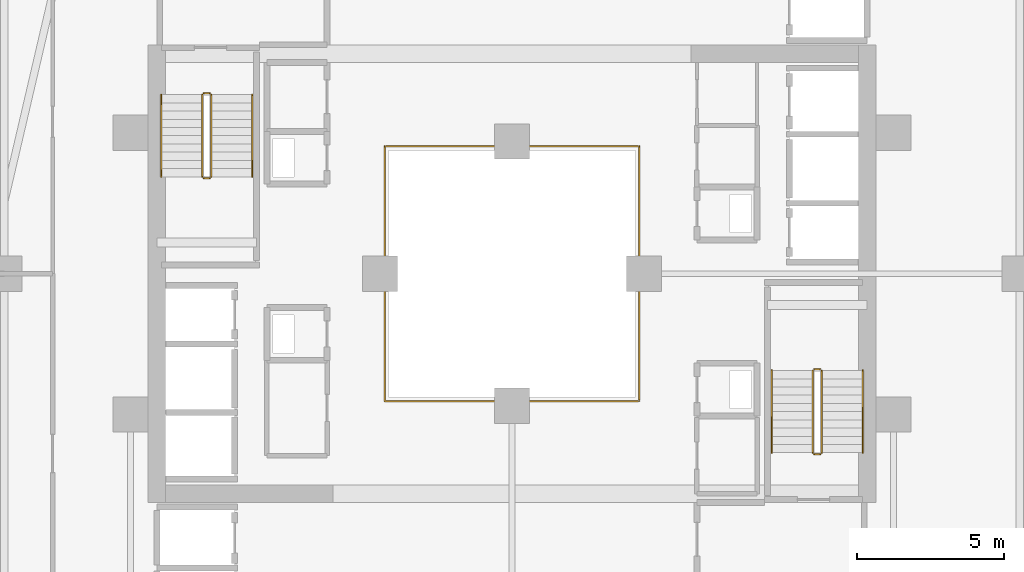
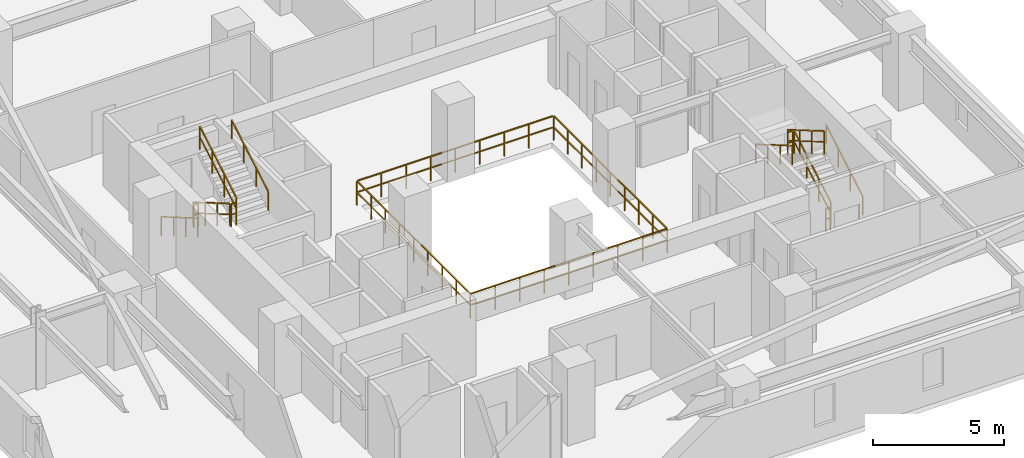
# One storey, part 29 of 30: 13 railings.
"""IFC4 building model written with IfcOpenShell, lengths in metres."""

from ifc_helpers import new_model, si_unit, direction, frame, origin, origin_2d, place, context, subcontext, project, spatial, rectangle, extrude, material, type_object, element, save


model = new_model("IFC4")

# Units and contexts
model_context = context("Model", 3, precision=1e-05, world=origin(), true_north=direction((0.0, 1.0)))
body_context = subcontext(model_context, "Body", "Model", "MODEL_VIEW")
ifc_project = project(units=[si_unit("LENGTHUNIT", "METRE"), si_unit("AREAUNIT", "SQUARE_METRE"), si_unit("VOLUMEUNIT", "CUBIC_METRE"), si_unit("PLANEANGLEUNIT", "RADIAN"), si_unit("MASSUNIT", "GRAM", prefix="KILO")], contexts=[model_context])

# Site, building, storey
site_placement = place(None, origin())
site = spatial("IfcSite", under=ifc_project, at=site_placement, CompositionType="ELEMENT")
building_placement = place(site_placement, origin())
building = spatial("IfcBuilding", under=site, at=building_placement, Name="Thornwick Lancets Civic Towers", CompositionType="ELEMENT")
storey_placement = place(building_placement, frame((0.0, 0.0, 80.10009765625)))
storey = spatial("IfcBuildingStorey", under=building, at=storey_placement, Name="L20", CompositionType="ELEMENT", Elevation=80.10009765625)

# Railings
ifc_material_1 = material(Name="Laminated glass and bronze steel S355", Category="steel")
railing_type_1 = type_object("IfcRailingType", Name="RAIL_ATRIUM_GUARD", PredefinedType="BALUSTRADE", material=ifc_material_1)
railing_1_placement = place(storey_placement, frame((84.159912109375, 22.659912109375, 0.0)))
element("IfcRailing", 1, at=railing_1_placement, inside=storey, type_object=railing_type_1, Name="L20 Tower B Central Atrium Guard Balustrade", PredefinedType="BALUSTRADE", context=body_context, shape_type="SweptSolid", body=[
    extrude(rectangle(XDim=0.048095703125, YDim=0.048095703125, at=origin_2d()), frame((0.0, 0.0, 1.1259765625), z_axis=(1.0, 0.0, 0.0), x_axis=(0.0, 1.0, 0.0)), (0.0, 0.0, 1.0), 8.64892578125),
    extrude(rectangle(XDim=0.0419921875, YDim=0.0419921875, at=origin_2d()), frame((0.03759765625, 0.0, 0.597900390625), z_axis=(1.0, 0.0, 0.0), x_axis=(0.0, 1.0, 0.0)), (0.0, 0.0, 1.0), 1.010009765625),
    extrude(rectangle(XDim=0.0419921875, YDim=0.0419921875, at=origin_2d()), frame((1.12255859375, 0.0, 0.597900390625), z_axis=(1.0, 0.0, 0.0), x_axis=(0.0, 1.0, 0.0)), (0.0, 0.0, 1.0), 1.010009765625),
    extrude(rectangle(XDim=0.0419921875, YDim=0.0419921875, at=origin_2d()), frame((2.20751953125, 0.0, 0.597900390625), z_axis=(1.0, 0.0, 0.0), x_axis=(0.0, 1.0, 0.0)), (0.0, 0.0, 1.0), 1.010009765625),
    extrude(rectangle(XDim=0.0419921875, YDim=0.0419921875, at=origin_2d()), frame((3.29248046875, 0.0, 0.597900390625), z_axis=(1.0, 0.0, 0.0), x_axis=(0.0, 1.0, 0.0)), (0.0, 0.0, 1.0), 1.010009765625),
    extrude(rectangle(XDim=0.0419921875, YDim=0.0419921875, at=origin_2d()), frame((4.377685546875, 0.0, 0.597900390625), z_axis=(1.0, 0.0, 0.0), x_axis=(0.0, 1.0, 0.0)), (0.0, 0.0, 1.0), 1.010009765625),
    extrude(rectangle(XDim=0.0419921875, YDim=0.0419921875, at=origin_2d()), frame((5.462646484375, 0.0, 0.597900390625), z_axis=(1.0, 0.0, 0.0), x_axis=(0.0, 1.0, 0.0)), (0.0, 0.0, 1.0), 1.010009765625),
    extrude(rectangle(XDim=0.0419921875, YDim=0.0419921875, at=origin_2d()), frame((6.547607421875, 0.0, 0.597900390625), z_axis=(1.0, 0.0, 0.0), x_axis=(0.0, 1.0, 0.0)), (0.0, 0.0, 1.0), 1.010009765625),
    extrude(rectangle(XDim=0.0419921875, YDim=0.0419921875, at=origin_2d()), frame((7.632568359375, 0.0, 0.597900390625), z_axis=(1.0, 0.0, 0.0), x_axis=(0.0, 1.0, 0.0)), (0.0, 0.0, 1.0), 1.010009765625),
    extrude(rectangle(XDim=0.048095703125, YDim=0.048095703125, at=origin_2d()), frame((8.68017578125, 0.03125, 1.1259765625), z_axis=(0.0, 1.0, 0.0), x_axis=(-1.0, 0.0, 0.0)), (0.0, 0.0, 1.0), 8.61767578125),
    extrude(rectangle(XDim=0.0419921875, YDim=0.0419921875, at=origin_2d()), frame((8.68017578125, 0.03759765625, 0.597900390625), z_axis=(0.0, 1.0, 0.0), x_axis=(-1.0, 0.0, 0.0)), (0.0, 0.0, 1.0), 1.010009765625),
    extrude(rectangle(XDim=0.0419921875, YDim=0.0419921875, at=origin_2d()), frame((8.68017578125, 1.12255859375, 0.597900390625), z_axis=(0.0, 1.0, 0.0), x_axis=(-1.0, 0.0, 0.0)), (0.0, 0.0, 1.0), 1.010009765625),
    extrude(rectangle(XDim=0.0419921875, YDim=0.0419921875, at=origin_2d()), frame((8.68017578125, 2.20751953125, 0.597900390625), z_axis=(0.0, 1.0, 0.0), x_axis=(-1.0, 0.0, 0.0)), (0.0, 0.0, 1.0), 1.010009765625),
    extrude(rectangle(XDim=0.0419921875, YDim=0.0419921875, at=origin_2d()), frame((8.68017578125, 3.29248046875, 0.597900390625), z_axis=(0.0, 1.0, 0.0), x_axis=(-1.0, 0.0, 0.0)), (0.0, 0.0, 1.0), 1.010009765625),
    extrude(rectangle(XDim=0.0419921875, YDim=0.0419921875, at=origin_2d()), frame((8.68017578125, 4.377685546875, 0.597900390625), z_axis=(0.0, 1.0, 0.0), x_axis=(-1.0, 0.0, 0.0)), (0.0, 0.0, 1.0), 1.010009765625),
    extrude(rectangle(XDim=0.0419921875, YDim=0.0419921875, at=origin_2d()), frame((8.68017578125, 5.462646484375, 0.597900390625), z_axis=(0.0, 1.0, 0.0), x_axis=(-1.0, 0.0, 0.0)), (0.0, 0.0, 1.0), 1.010009765625),
    extrude(rectangle(XDim=0.0419921875, YDim=0.0419921875, at=origin_2d()), frame((8.68017578125, 6.547607421875, 0.597900390625), z_axis=(0.0, 1.0, 0.0), x_axis=(-1.0, 0.0, 0.0)), (0.0, 0.0, 1.0), 1.010009765625),
    extrude(rectangle(XDim=0.0419921875, YDim=0.0419921875, at=origin_2d()), frame((8.68017578125, 7.632568359375, 0.597900390625), z_axis=(0.0, 1.0, 0.0), x_axis=(-1.0, 0.0, 0.0)), (0.0, 0.0, 1.0), 1.010009765625),
    extrude(rectangle(XDim=0.048095703125, YDim=0.048095703125, at=origin_2d()), frame((8.64892578125, 8.68017578125, 1.1259765625), z_axis=(-1.0, 0.0, 0.0), x_axis=(0.0, -1.0, 0.0)), (0.0, 0.0, 1.0), 8.61767578125),
    extrude(rectangle(XDim=0.0419921875, YDim=0.0419921875, at=origin_2d()), frame((8.642578125, 8.68017578125, 0.597900390625), z_axis=(-1.0, 0.0, 0.0), x_axis=(0.0, -1.0, 0.0)), (0.0, 0.0, 1.0), 1.010009765625),
    extrude(rectangle(XDim=0.0419921875, YDim=0.0419921875, at=origin_2d()), frame((7.5576171875, 8.68017578125, 0.597900390625), z_axis=(-1.0, 0.0, 0.0), x_axis=(0.0, -1.0, 0.0)), (0.0, 0.0, 1.0), 1.010009765625),
    extrude(rectangle(XDim=0.0419921875, YDim=0.0419921875, at=origin_2d()), frame((6.47265625, 8.68017578125, 0.597900390625), z_axis=(-1.0, 0.0, 0.0), x_axis=(0.0, -1.0, 0.0)), (0.0, 0.0, 1.0), 1.010009765625),
    extrude(rectangle(XDim=0.0419921875, YDim=0.0419921875, at=origin_2d()), frame((5.3876953125, 8.68017578125, 0.597900390625), z_axis=(-1.0, 0.0, 0.0), x_axis=(0.0, -1.0, 0.0)), (0.0, 0.0, 1.0), 1.010009765625),
    extrude(rectangle(XDim=0.0419921875, YDim=0.0419921875, at=origin_2d()), frame((4.302490234375, 8.68017578125, 0.597900390625), z_axis=(-1.0, 0.0, 0.0), x_axis=(0.0, -1.0, 0.0)), (0.0, 0.0, 1.0), 1.010009765625),
    extrude(rectangle(XDim=0.0419921875, YDim=0.0419921875, at=origin_2d()), frame((3.217529296875, 8.68017578125, 0.597900390625), z_axis=(-1.0, 0.0, 0.0), x_axis=(0.0, -1.0, 0.0)), (0.0, 0.0, 1.0), 1.010009765625),
    extrude(rectangle(XDim=0.0419921875, YDim=0.0419921875, at=origin_2d()), frame((2.132568359375, 8.68017578125, 0.597900390625), z_axis=(-1.0, 0.0, 0.0), x_axis=(0.0, -1.0, 0.0)), (0.0, 0.0, 1.0), 1.010009765625),
    extrude(rectangle(XDim=0.0419921875, YDim=0.0419921875, at=origin_2d()), frame((1.047607421875, 8.68017578125, 0.597900390625), z_axis=(-1.0, 0.0, 0.0), x_axis=(0.0, -1.0, 0.0)), (0.0, 0.0, 1.0), 1.010009765625),
    extrude(rectangle(XDim=0.048095703125, YDim=0.048095703125, at=origin_2d()), frame((0.0, 8.64892578125, 1.1259765625), z_axis=(0.0, -1.0, 0.0), x_axis=(1.0, 0.0, 0.0)), (0.0, 0.0, 1.0), 8.64892578125),
    extrude(rectangle(XDim=0.0419921875, YDim=0.0419921875, at=origin_2d()), frame((0.0, 8.642578125, 0.597900390625), z_axis=(0.0, -1.0, 0.0), x_axis=(1.0, 0.0, 0.0)), (0.0, 0.0, 1.0), 1.010009765625),
    extrude(rectangle(XDim=0.0419921875, YDim=0.0419921875, at=origin_2d()), frame((0.0, 7.5576171875, 0.597900390625), z_axis=(0.0, -1.0, 0.0), x_axis=(1.0, 0.0, 0.0)), (0.0, 0.0, 1.0), 1.010009765625),
    extrude(rectangle(XDim=0.0419921875, YDim=0.0419921875, at=origin_2d()), frame((0.0, 6.47265625, 0.597900390625), z_axis=(0.0, -1.0, 0.0), x_axis=(1.0, 0.0, 0.0)), (0.0, 0.0, 1.0), 1.010009765625),
    extrude(rectangle(XDim=0.0419921875, YDim=0.0419921875, at=origin_2d()), frame((0.0, 5.3876953125, 0.597900390625), z_axis=(0.0, -1.0, 0.0), x_axis=(1.0, 0.0, 0.0)), (0.0, 0.0, 1.0), 1.010009765625),
    extrude(rectangle(XDim=0.0419921875, YDim=0.0419921875, at=origin_2d()), frame((0.0, 4.302490234375, 0.597900390625), z_axis=(0.0, -1.0, 0.0), x_axis=(1.0, 0.0, 0.0)), (0.0, 0.0, 1.0), 1.010009765625),
    extrude(rectangle(XDim=0.0419921875, YDim=0.0419921875, at=origin_2d()), frame((0.0, 3.217529296875, 0.597900390625), z_axis=(0.0, -1.0, 0.0), x_axis=(1.0, 0.0, 0.0)), (0.0, 0.0, 1.0), 1.010009765625),
    extrude(rectangle(XDim=0.0419921875, YDim=0.0419921875, at=origin_2d()), frame((0.0, 2.132568359375, 0.597900390625), z_axis=(0.0, -1.0, 0.0), x_axis=(1.0, 0.0, 0.0)), (0.0, 0.0, 1.0), 1.010009765625),
    extrude(rectangle(XDim=0.0419921875, YDim=0.0419921875, at=origin_2d()), frame((0.0, 1.047607421875, 0.597900390625), z_axis=(0.0, -1.0, 0.0), x_axis=(1.0, 0.0, 0.0)), (0.0, 0.0, 1.0), 1.010009765625),
    extrude(rectangle(XDim=0.0419921875, YDim=0.0419921875, at=origin_2d()), origin(), (0.0, 0.0, 1.0), 1.095703125),
    extrude(rectangle(XDim=0.0419921875, YDim=0.0419921875, at=origin_2d()), frame((1.0849609375, 0.0, 0.0)), (0.0, 0.0, 1.0), 1.095703125),
    extrude(rectangle(XDim=0.0419921875, YDim=0.0419921875, at=origin_2d()), frame((2.169921875, 0.0, 0.0)), (0.0, 0.0, 1.0), 1.095703125),
    extrude(rectangle(XDim=0.0419921875, YDim=0.0419921875, at=origin_2d()), frame((3.255126953125, 0.0, 0.0)), (0.0, 0.0, 1.0), 1.095703125),
    extrude(rectangle(XDim=0.0419921875, YDim=0.0419921875, at=origin_2d()), frame((4.340087890625, 0.0, 0.0)), (0.0, 0.0, 1.0), 1.095703125),
    extrude(rectangle(XDim=0.0419921875, YDim=0.0419921875, at=origin_2d()), frame((5.425048828125, 0.0, 0.0)), (0.0, 0.0, 1.0), 1.095703125),
    extrude(rectangle(XDim=0.0419921875, YDim=0.0419921875, at=origin_2d()), frame((6.51025390625, 0.0, 0.0)), (0.0, 0.0, 1.0), 1.095703125),
    extrude(rectangle(XDim=0.0419921875, YDim=0.0419921875, at=origin_2d()), frame((7.59521484375, 0.0, 0.0)), (0.0, 0.0, 1.0), 1.095703125),
    extrude(rectangle(XDim=0.0419921875, YDim=0.0419921875, at=origin_2d()), frame((8.68017578125, 0.0, 0.0)), (0.0, 0.0, 1.0), 1.095703125),
    extrude(rectangle(XDim=0.0419921875, YDim=0.0419921875, at=origin_2d()), frame((8.68017578125, 1.0849609375, 0.0)), (0.0, 0.0, 1.0), 1.095703125),
    extrude(rectangle(XDim=0.0419921875, YDim=0.0419921875, at=origin_2d()), frame((8.68017578125, 2.169921875, 0.0)), (0.0, 0.0, 1.0), 1.095703125),
    extrude(rectangle(XDim=0.0419921875, YDim=0.0419921875, at=origin_2d()), frame((8.68017578125, 3.255126953125, 0.0)), (0.0, 0.0, 1.0), 1.095703125),
    extrude(rectangle(XDim=0.0419921875, YDim=0.0419921875, at=origin_2d()), frame((8.68017578125, 4.340087890625, 0.0)), (0.0, 0.0, 1.0), 1.095703125),
    extrude(rectangle(XDim=0.0419921875, YDim=0.0419921875, at=origin_2d()), frame((8.68017578125, 5.425048828125, 0.0)), (0.0, 0.0, 1.0), 1.095703125),
    extrude(rectangle(XDim=0.0419921875, YDim=0.0419921875, at=origin_2d()), frame((8.68017578125, 6.51025390625, 0.0)), (0.0, 0.0, 1.0), 1.095703125),
    extrude(rectangle(XDim=0.0419921875, YDim=0.0419921875, at=origin_2d()), frame((8.68017578125, 7.59521484375, 0.0)), (0.0, 0.0, 1.0), 1.095703125),
    extrude(rectangle(XDim=0.0419921875, YDim=0.0419921875, at=origin_2d()), frame((8.68017578125, 8.68017578125, 0.0)), (0.0, 0.0, 1.0), 1.095703125),
    extrude(rectangle(XDim=0.0419921875, YDim=0.0419921875, at=origin_2d()), frame((7.59521484375, 8.68017578125, 0.0)), (0.0, 0.0, 1.0), 1.095703125),
    extrude(rectangle(XDim=0.0419921875, YDim=0.0419921875, at=origin_2d()), frame((6.51025390625, 8.68017578125, 0.0)), (0.0, 0.0, 1.0), 1.095703125),
    extrude(rectangle(XDim=0.0419921875, YDim=0.0419921875, at=origin_2d()), frame((5.425048828125, 8.68017578125, 0.0)), (0.0, 0.0, 1.0), 1.095703125),
    extrude(rectangle(XDim=0.0419921875, YDim=0.0419921875, at=origin_2d()), frame((4.340087890625, 8.68017578125, 0.0)), (0.0, 0.0, 1.0), 1.095703125),
    extrude(rectangle(XDim=0.0419921875, YDim=0.0419921875, at=origin_2d()), frame((3.255126953125, 8.68017578125, 0.0)), (0.0, 0.0, 1.0), 1.095703125),
    extrude(rectangle(XDim=0.0419921875, YDim=0.0419921875, at=origin_2d()), frame((2.169921875, 8.68017578125, 0.0)), (0.0, 0.0, 1.0), 1.095703125),
    extrude(rectangle(XDim=0.0419921875, YDim=0.0419921875, at=origin_2d()), frame((1.0849609375, 8.68017578125, 0.0)), (0.0, 0.0, 1.0), 1.095703125),
    extrude(rectangle(XDim=0.0419921875, YDim=0.0419921875, at=origin_2d()), frame((0.0, 8.68017578125, 0.0)), (0.0, 0.0, 1.0), 1.095703125),
    extrude(rectangle(XDim=0.0419921875, YDim=0.0419921875, at=origin_2d()), frame((0.0, 7.59521484375, 0.0)), (0.0, 0.0, 1.0), 1.095703125),
    extrude(rectangle(XDim=0.0419921875, YDim=0.0419921875, at=origin_2d()), frame((0.0, 6.51025390625, 0.0)), (0.0, 0.0, 1.0), 1.095703125),
    extrude(rectangle(XDim=0.0419921875, YDim=0.0419921875, at=origin_2d()), frame((0.0, 5.425048828125, 0.0)), (0.0, 0.0, 1.0), 1.095703125),
    extrude(rectangle(XDim=0.0419921875, YDim=0.0419921875, at=origin_2d()), frame((0.0, 4.340087890625, 0.0)), (0.0, 0.0, 1.0), 1.095703125),
    extrude(rectangle(XDim=0.0419921875, YDim=0.0419921875, at=origin_2d()), frame((0.0, 3.255126953125, 0.0)), (0.0, 0.0, 1.0), 1.095703125),
    extrude(rectangle(XDim=0.0419921875, YDim=0.0419921875, at=origin_2d()), frame((0.0, 2.169921875, 0.0)), (0.0, 0.0, 1.0), 1.095703125),
    extrude(rectangle(XDim=0.0419921875, YDim=0.0419921875, at=origin_2d()), frame((0.0, 1.0849609375, 0.0)), (0.0, 0.0, 1.0), 1.095703125),
])
ifc_material_2 = material(Name="Brushed stainless steel S355", Category="steel")
railing_type_2 = type_object("IfcRailingType", Name="RAIL_HANDRAIL", PredefinedType="HANDRAIL", material=ifc_material_2)
railing_2_placement = place(storey_placement, frame((100.449951171875, 20.89990234375, 0.16357421875)))
element("IfcRailing", 2, at=railing_2_placement, inside=storey, type_object=railing_type_2, Name="L20 ST-B1 stair handrail 1", PredefinedType="HANDRAIL", context=body_context, shape_type="SweptSolid", body=[
    extrude(rectangle(XDim=0.048095703125, YDim=0.048095703125, at=origin_2d()), frame((0.0, 0.0, 0.8857421875), z_axis=(0.0, 0.863393664356, 0.504530851732), x_axis=(-1.0, 0.0, 0.0)), (0.0, 0.0, 1.0), 3.2431640625),
    extrude(rectangle(XDim=0.0419921875, YDim=0.0419921875, at=origin_2d()), origin(), (0.0, 0.0, 1.0), 0.855712890625),
    extrude(rectangle(XDim=0.0419921875, YDim=0.0419921875, at=origin_2d()), frame((0.0, 0.933349609375, 0.54541015625)), (0.0, 0.0, 1.0), 0.855712890625),
    extrude(rectangle(XDim=0.0419921875, YDim=0.0419921875, at=origin_2d()), frame((0.0, 1.86669921875, 1.0908203125)), (0.0, 0.0, 1.0), 0.855712890625),
    extrude(rectangle(XDim=0.0419921875, YDim=0.0419921875, at=origin_2d()), frame((0.0, 2.800048828125, 1.63623046875)), (0.0, 0.0, 1.0), 0.855712890625),
])
for number, where, name in (
    (3, (97.35009765625, 23.699951171875, 1.963623046875), "L20 ST-B1 stair handrail 2"),
    (4, (76.550048828125, 33.10009765625, 0.16357421875), "L20 ST-B2 stair handrail 1"),
):
    element("IfcRailing", number, at=place(storey_placement, frame(where)), inside=storey, type_object=railing_type_2, Name=name, PredefinedType="HANDRAIL", context=body_context, shape_type="SweptSolid", body=[
        extrude(rectangle(XDim=0.048095703125, YDim=0.048095703125, at=origin_2d()), frame((0.0, 0.0, 0.8857421875), z_axis=(0.0, -0.863393664356, 0.504530851732), x_axis=(1.0, 0.0, 0.0)), (0.0, 0.0, 1.0), 3.2431640625),
        extrude(rectangle(XDim=0.0419921875, YDim=0.0419921875, at=origin_2d()), origin(), (0.0, 0.0, 1.0), 0.855712890625),
        extrude(rectangle(XDim=0.0419921875, YDim=0.0419921875, at=origin_2d()), frame((0.0, -0.933349609375, 0.54541015625)), (0.0, 0.0, 1.0), 0.855712890625),
        extrude(rectangle(XDim=0.0419921875, YDim=0.0419921875, at=origin_2d()), frame((0.0, -1.86669921875, 1.0908203125)), (0.0, 0.0, 1.0), 0.855712890625),
        extrude(rectangle(XDim=0.0419921875, YDim=0.0419921875, at=origin_2d()), frame((0.0, -2.800048828125, 1.63623046875)), (0.0, 0.0, 1.0), 0.855712890625),
    ])
railing_3_placement = place(storey_placement, frame((79.64990234375, 30.300048828125, 1.963623046875)))
element("IfcRailing", 5, at=railing_3_placement, inside=storey, type_object=railing_type_2, Name="L20 ST-B2 stair handrail 2", PredefinedType="HANDRAIL", context=body_context, shape_type="SweptSolid", body=[
    extrude(rectangle(XDim=0.048095703125, YDim=0.048095703125, at=origin_2d()), frame((0.0, 0.0, 0.8857421875), z_axis=(0.0, 0.863393664356, 0.504530851732), x_axis=(-1.0, 0.0, 0.0)), (0.0, 0.0, 1.0), 3.2431640625),
    extrude(rectangle(XDim=0.0419921875, YDim=0.0419921875, at=origin_2d()), origin(), (0.0, 0.0, 1.0), 0.855712890625),
    extrude(rectangle(XDim=0.0419921875, YDim=0.0419921875, at=origin_2d()), frame((0.0, 0.933349609375, 0.54541015625)), (0.0, 0.0, 1.0), 0.855712890625),
    extrude(rectangle(XDim=0.0419921875, YDim=0.0419921875, at=origin_2d()), frame((0.0, 1.86669921875, 1.0908203125)), (0.0, 0.0, 1.0), 0.855712890625),
    extrude(rectangle(XDim=0.0419921875, YDim=0.0419921875, at=origin_2d()), frame((0.0, 2.800048828125, 1.63623046875)), (0.0, 0.0, 1.0), 0.855712890625),
])
ifc_material_3 = material(Name="Steel S355JR", Category="steel")
railing_type_3 = type_object("IfcRailingType", Name="RAIL_STAIR_GUARD", PredefinedType="GUARDRAIL", material=ifc_material_3)
railing_4_placement = place(storey_placement, frame((99.050048828125, 20.89990234375, 0.16357421875)))
element("IfcRailing", 6, at=railing_4_placement, inside=storey, type_object=railing_type_3, Name="L20 ST-B1 stair guard 1", PredefinedType="GUARDRAIL", context=body_context, shape_type="SweptSolid", body=[
    extrude(rectangle(XDim=0.048095703125, YDim=0.048095703125, at=origin_2d()), frame((0.0, 0.0, 1.076171875), z_axis=(0.0, 0.863393664356, 0.504530851732), x_axis=(-1.0, 0.0, 0.0)), (0.0, 0.0, 1.0), 3.2431640625),
    extrude(rectangle(XDim=0.0419921875, YDim=0.0419921875, at=origin_2d()), frame((0.0, 0.032470703125, 0.591064453125), z_axis=(0.0, 0.863393664356, 0.504530851732), x_axis=(-1.0, 0.0, 0.0)), (0.0, 0.0, 1.0), 1.006103515625),
    extrude(rectangle(XDim=0.0419921875, YDim=0.0419921875, at=origin_2d()), frame((0.0, 0.9658203125, 1.136474609375), z_axis=(0.0, 0.863393664356, 0.504530851732), x_axis=(-1.0, 0.0, 0.0)), (0.0, 0.0, 1.0), 1.006103515625),
    extrude(rectangle(XDim=0.0419921875, YDim=0.0419921875, at=origin_2d()), frame((0.0, 1.899169921875, 1.681884765625), z_axis=(0.0, 0.863393664356, 0.504530851732), x_axis=(-1.0, 0.0, 0.0)), (0.0, 0.0, 1.0), 1.006103515625),
    extrude(rectangle(XDim=0.0419921875, YDim=0.0419921875, at=origin_2d()), origin(), (0.0, 0.0, 1.0), 1.0458984375),
    extrude(rectangle(XDim=0.0419921875, YDim=0.0419921875, at=origin_2d()), frame((0.0, 0.933349609375, 0.54541015625)), (0.0, 0.0, 1.0), 1.0458984375),
    extrude(rectangle(XDim=0.0419921875, YDim=0.0419921875, at=origin_2d()), frame((0.0, 1.86669921875, 1.0908203125)), (0.0, 0.0, 1.0), 1.0458984375),
    extrude(rectangle(XDim=0.0419921875, YDim=0.0419921875, at=origin_2d()), frame((0.0, 2.800048828125, 1.63623046875)), (0.0, 0.0, 1.0), 1.0458984375),
])
railing_5_placement = place(storey_placement, frame((99.0, 23.75, 1.7998046875)))
element("IfcRailing", 7, at=railing_5_placement, inside=storey, type_object=railing_type_3, Name="L20 ST-B1 stair guard 2", PredefinedType="GUARDRAIL", context=body_context, shape_type="SweptSolid", body=[
    extrude(rectangle(XDim=0.048095703125, YDim=0.048095703125, at=origin_2d()), frame((0.0, 0.0, 1.076171875), z_axis=(-1.0, 0.0, 0.0), x_axis=(0.0, -1.0, 0.0)), (0.0, 0.0, 1.0), 0.199951171875),
    extrude(rectangle(XDim=0.0419921875, YDim=0.0419921875, at=origin_2d()), frame((-0.03759765625, 0.0, 0.572021484375), z_axis=(-1.0, 0.0, 0.0), x_axis=(0.0, -1.0, 0.0)), (0.0, 0.0, 1.0), 0.125),
    extrude(rectangle(XDim=0.0419921875, YDim=0.0419921875, at=origin_2d()), origin(), (0.0, 0.0, 1.0), 1.0458984375),
    extrude(rectangle(XDim=0.0419921875, YDim=0.0419921875, at=origin_2d()), frame((-0.199951171875, 0.0, 0.0)), (0.0, 0.0, 1.0), 1.0458984375),
])
railing_6_placement = place(storey_placement, frame((98.75, 23.699951171875, 1.963623046875)))
element("IfcRailing", 8, at=railing_6_placement, inside=storey, type_object=railing_type_3, Name="L20 ST-B1 stair guard 3", PredefinedType="GUARDRAIL", context=body_context, shape_type="SweptSolid", body=[
    extrude(rectangle(XDim=0.048095703125, YDim=0.048095703125, at=origin_2d()), frame((0.0, 0.0, 1.076171875), z_axis=(0.0, -0.863393664356, 0.504530851732), x_axis=(1.0, 0.0, 0.0)), (0.0, 0.0, 1.0), 3.2431640625),
    extrude(rectangle(XDim=0.0419921875, YDim=0.0419921875, at=origin_2d()), frame((0.0, -0.032470703125, 0.591064453125), z_axis=(0.0, -0.863393664356, 0.504530851732), x_axis=(1.0, 0.0, 0.0)), (0.0, 0.0, 1.0), 1.006103515625),
    extrude(rectangle(XDim=0.0419921875, YDim=0.0419921875, at=origin_2d()), frame((0.0, -0.9658203125, 1.136474609375), z_axis=(0.0, -0.863393664356, 0.504530851732), x_axis=(1.0, 0.0, 0.0)), (0.0, 0.0, 1.0), 1.006103515625),
    extrude(rectangle(XDim=0.0419921875, YDim=0.0419921875, at=origin_2d()), frame((0.0, -1.899169921875, 1.681884765625), z_axis=(0.0, -0.863393664356, 0.504530851732), x_axis=(1.0, 0.0, 0.0)), (0.0, 0.0, 1.0), 1.006103515625),
    extrude(rectangle(XDim=0.0419921875, YDim=0.0419921875, at=origin_2d()), origin(), (0.0, 0.0, 1.0), 1.0458984375),
    extrude(rectangle(XDim=0.0419921875, YDim=0.0419921875, at=origin_2d()), frame((0.0, -0.933349609375, 0.54541015625)), (0.0, 0.0, 1.0), 1.0458984375),
    extrude(rectangle(XDim=0.0419921875, YDim=0.0419921875, at=origin_2d()), frame((0.0, -1.86669921875, 1.0908203125)), (0.0, 0.0, 1.0), 1.0458984375),
    extrude(rectangle(XDim=0.0419921875, YDim=0.0419921875, at=origin_2d()), frame((0.0, -2.800048828125, 1.63623046875)), (0.0, 0.0, 1.0), 1.0458984375),
])
railing_7_placement = place(storey_placement, frame((99.0, 20.85009765625, 0.0)))
element("IfcRailing", 9, at=railing_7_placement, inside=storey, type_object=railing_type_3, Name="L20 ST-B1 stair guard 4", PredefinedType="GUARDRAIL", context=body_context, shape_type="SweptSolid", body=[
    extrude(rectangle(XDim=0.048095703125, YDim=0.048095703125, at=origin_2d()), frame((0.0, 0.0, 1.076171875), z_axis=(-1.0, 0.0, 0.0), x_axis=(0.0, -1.0, 0.0)), (0.0, 0.0, 1.0), 0.199951171875),
    extrude(rectangle(XDim=0.0419921875, YDim=0.0419921875, at=origin_2d()), frame((-0.03759765625, 0.0, 0.572021484375), z_axis=(-1.0, 0.0, 0.0), x_axis=(0.0, -1.0, 0.0)), (0.0, 0.0, 1.0), 0.125),
    extrude(rectangle(XDim=0.0419921875, YDim=0.0419921875, at=origin_2d()), origin(), (0.0, 0.0, 1.0), 1.0458984375),
    extrude(rectangle(XDim=0.0419921875, YDim=0.0419921875, at=origin_2d()), frame((-0.199951171875, 0.0, 0.0)), (0.0, 0.0, 1.0), 1.0458984375),
])
railing_8_placement = place(storey_placement, frame((77.949951171875, 33.10009765625, 0.16357421875)))
element("IfcRailing", 10, at=railing_8_placement, inside=storey, type_object=railing_type_3, Name="L20 ST-B2 stair guard 1", PredefinedType="GUARDRAIL", context=body_context, shape_type="SweptSolid", body=[
    extrude(rectangle(XDim=0.048095703125, YDim=0.048095703125, at=origin_2d()), frame((0.0, 0.0, 1.076171875), z_axis=(0.0, -0.863393664356, 0.504530851732), x_axis=(1.0, 0.0, 0.0)), (0.0, 0.0, 1.0), 3.2431640625),
    extrude(rectangle(XDim=0.0419921875, YDim=0.0419921875, at=origin_2d()), frame((0.0, -0.032470703125, 0.591064453125), z_axis=(0.0, -0.863393664356, 0.504530851732), x_axis=(1.0, 0.0, 0.0)), (0.0, 0.0, 1.0), 1.006103515625),
    extrude(rectangle(XDim=0.0419921875, YDim=0.0419921875, at=origin_2d()), frame((0.0, -0.9658203125, 1.136474609375), z_axis=(0.0, -0.863393664356, 0.504530851732), x_axis=(1.0, 0.0, 0.0)), (0.0, 0.0, 1.0), 1.006103515625),
    extrude(rectangle(XDim=0.0419921875, YDim=0.0419921875, at=origin_2d()), frame((0.0, -1.899169921875, 1.681884765625), z_axis=(0.0, -0.863393664356, 0.504530851732), x_axis=(1.0, 0.0, 0.0)), (0.0, 0.0, 1.0), 1.006103515625),
    extrude(rectangle(XDim=0.0419921875, YDim=0.0419921875, at=origin_2d()), origin(), (0.0, 0.0, 1.0), 1.0458984375),
    extrude(rectangle(XDim=0.0419921875, YDim=0.0419921875, at=origin_2d()), frame((0.0, -0.933349609375, 0.54541015625)), (0.0, 0.0, 1.0), 1.0458984375),
    extrude(rectangle(XDim=0.0419921875, YDim=0.0419921875, at=origin_2d()), frame((0.0, -1.86669921875, 1.0908203125)), (0.0, 0.0, 1.0), 1.0458984375),
    extrude(rectangle(XDim=0.0419921875, YDim=0.0419921875, at=origin_2d()), frame((0.0, -2.800048828125, 1.63623046875)), (0.0, 0.0, 1.0), 1.0458984375),
])
railing_9_placement = place(storey_placement, frame((78.0, 30.25, 1.7998046875)))
element("IfcRailing", 11, at=railing_9_placement, inside=storey, type_object=railing_type_3, Name="L20 ST-B2 stair guard 2", PredefinedType="GUARDRAIL", context=body_context, shape_type="SweptSolid", body=[
    extrude(rectangle(XDim=0.048095703125, YDim=0.048095703125, at=origin_2d()), frame((0.0, 0.0, 1.076171875), z_axis=(1.0, 0.0, 0.0), x_axis=(0.0, 1.0, 0.0)), (0.0, 0.0, 1.0), 0.199951171875),
    extrude(rectangle(XDim=0.0419921875, YDim=0.0419921875, at=origin_2d()), frame((0.03759765625, 0.0, 0.572021484375), z_axis=(1.0, 0.0, 0.0), x_axis=(0.0, 1.0, 0.0)), (0.0, 0.0, 1.0), 0.125),
    extrude(rectangle(XDim=0.0419921875, YDim=0.0419921875, at=origin_2d()), origin(), (0.0, 0.0, 1.0), 1.0458984375),
    extrude(rectangle(XDim=0.0419921875, YDim=0.0419921875, at=origin_2d()), frame((0.199951171875, 0.0, 0.0)), (0.0, 0.0, 1.0), 1.0458984375),
])
railing_10_placement = place(storey_placement, frame((78.25, 30.300048828125, 1.963623046875)))
element("IfcRailing", 12, at=railing_10_placement, inside=storey, type_object=railing_type_3, Name="L20 ST-B2 stair guard 3", PredefinedType="GUARDRAIL", context=body_context, shape_type="SweptSolid", body=[
    extrude(rectangle(XDim=0.048095703125, YDim=0.048095703125, at=origin_2d()), frame((0.0, 0.0, 1.076171875), z_axis=(0.0, 0.863393664356, 0.504530851732), x_axis=(-1.0, 0.0, 0.0)), (0.0, 0.0, 1.0), 3.2431640625),
    extrude(rectangle(XDim=0.0419921875, YDim=0.0419921875, at=origin_2d()), frame((0.0, 0.032470703125, 0.591064453125), z_axis=(0.0, 0.863393664356, 0.504530851732), x_axis=(-1.0, 0.0, 0.0)), (0.0, 0.0, 1.0), 1.006103515625),
    extrude(rectangle(XDim=0.0419921875, YDim=0.0419921875, at=origin_2d()), frame((0.0, 0.9658203125, 1.136474609375), z_axis=(0.0, 0.863393664356, 0.504530851732), x_axis=(-1.0, 0.0, 0.0)), (0.0, 0.0, 1.0), 1.006103515625),
    extrude(rectangle(XDim=0.0419921875, YDim=0.0419921875, at=origin_2d()), frame((0.0, 1.899169921875, 1.681884765625), z_axis=(0.0, 0.863393664356, 0.504530851732), x_axis=(-1.0, 0.0, 0.0)), (0.0, 0.0, 1.0), 1.006103515625),
    extrude(rectangle(XDim=0.0419921875, YDim=0.0419921875, at=origin_2d()), origin(), (0.0, 0.0, 1.0), 1.0458984375),
    extrude(rectangle(XDim=0.0419921875, YDim=0.0419921875, at=origin_2d()), frame((0.0, 0.933349609375, 0.54541015625)), (0.0, 0.0, 1.0), 1.0458984375),
    extrude(rectangle(XDim=0.0419921875, YDim=0.0419921875, at=origin_2d()), frame((0.0, 1.86669921875, 1.0908203125)), (0.0, 0.0, 1.0), 1.0458984375),
    extrude(rectangle(XDim=0.0419921875, YDim=0.0419921875, at=origin_2d()), frame((0.0, 2.800048828125, 1.63623046875)), (0.0, 0.0, 1.0), 1.0458984375),
])
railing_11_placement = place(storey_placement, frame((78.0, 33.14990234375, 0.0)))
element("IfcRailing", 13, at=railing_11_placement, inside=storey, type_object=railing_type_3, Name="L20 ST-B2 stair guard 4", PredefinedType="GUARDRAIL", context=body_context, shape_type="SweptSolid", body=[
    extrude(rectangle(XDim=0.048095703125, YDim=0.048095703125, at=origin_2d()), frame((0.0, 0.0, 1.076171875), z_axis=(1.0, 0.0, 0.0), x_axis=(0.0, 1.0, 0.0)), (0.0, 0.0, 1.0), 0.199951171875),
    extrude(rectangle(XDim=0.0419921875, YDim=0.0419921875, at=origin_2d()), frame((0.03759765625, 0.0, 0.572021484375), z_axis=(1.0, 0.0, 0.0), x_axis=(0.0, 1.0, 0.0)), (0.0, 0.0, 1.0), 0.125),
    extrude(rectangle(XDim=0.0419921875, YDim=0.0419921875, at=origin_2d()), origin(), (0.0, 0.0, 1.0), 1.0458984375),
    extrude(rectangle(XDim=0.0419921875, YDim=0.0419921875, at=origin_2d()), frame((0.199951171875, 0.0, 0.0)), (0.0, 0.0, 1.0), 1.0458984375),
])

save(model, "model.ifc")
